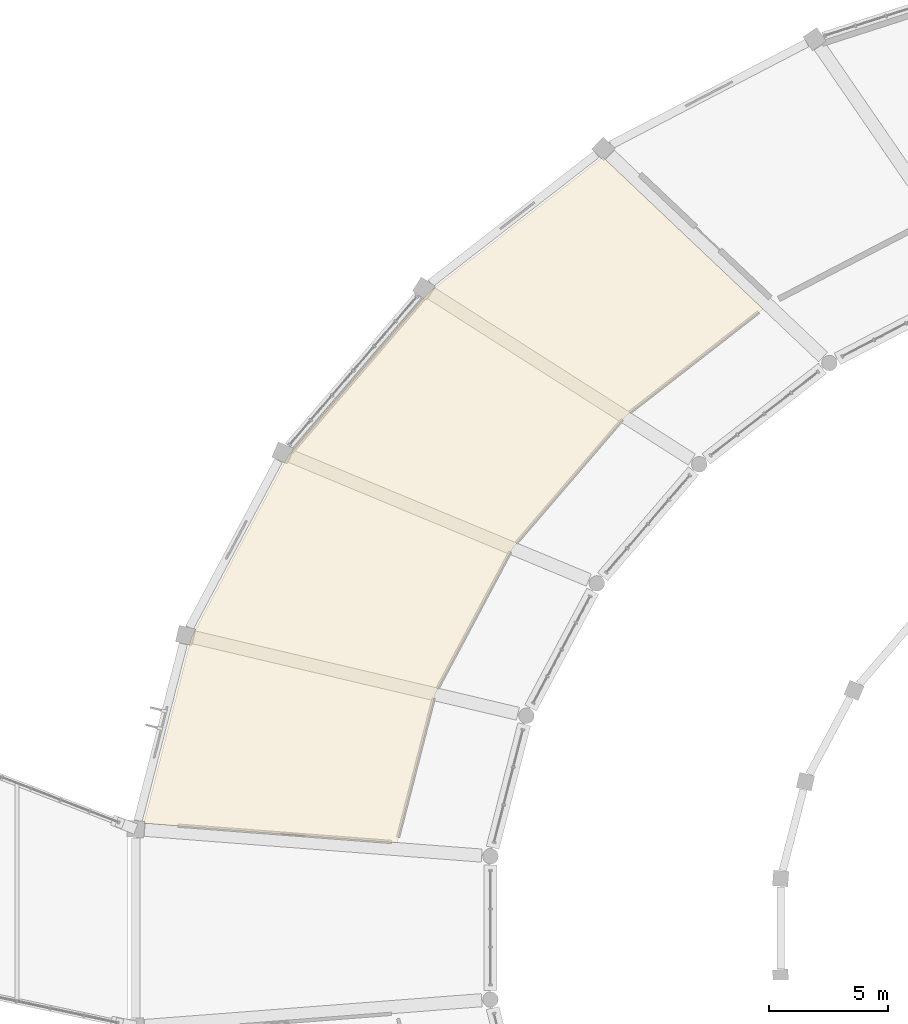
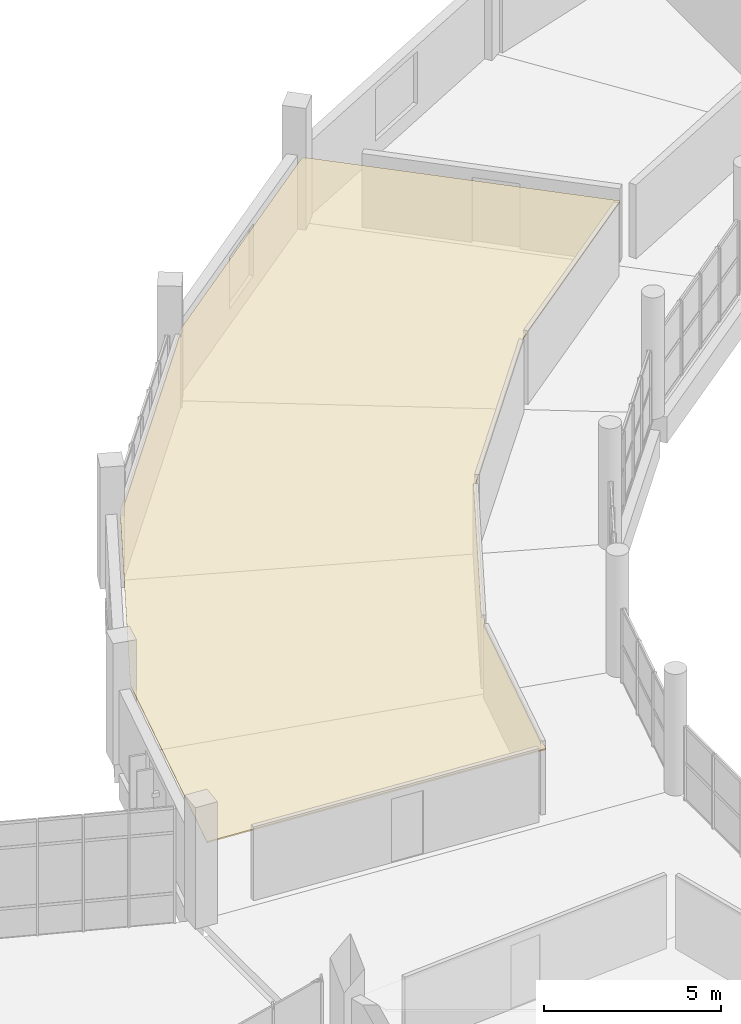
# One storey, part 124 of 142: 1 covering.
"""IFC4 building model written with IfcOpenShell, lengths in metres."""

from ifc_helpers import new_model, si_unit, direction, frame, origin, place, context, subcontext, project, spatial, polyline, outline, extrude, material, layer, layer_set, type_object, element, save


model = new_model("IFC4")

# Units and contexts
model_context = context("Model", 3, precision=1e-05, world=origin(), true_north=direction((0.0, 1.0)))
body_context = subcontext(model_context, "Body", "Model", "MODEL_VIEW")
ifc_project = project(units=[si_unit("LENGTHUNIT", "METRE"), si_unit("AREAUNIT", "SQUARE_METRE"), si_unit("VOLUMEUNIT", "CUBIC_METRE"), si_unit("PLANEANGLEUNIT", "RADIAN"), si_unit("MASSUNIT", "GRAM", prefix="KILO")], contexts=[model_context])

# Site, building, storey
site_placement = place(None, origin())
site = spatial("IfcSite", under=ifc_project, at=site_placement, CompositionType="ELEMENT")
building_placement = place(site_placement, origin())
building = spatial("IfcBuilding", under=site, at=building_placement, Name="Corvandel Quay Wholesale Market", CompositionType="ELEMENT")
storey_placement = place(building_placement, frame((0.0, 0.0, 10.800048828125)))
storey = spatial("IfcBuildingStorey", under=building, at=storey_placement, Name="L02", CompositionType="ELEMENT", Elevation=10.800048828125)

# Covering
ifc_material = material(Name="Perforated powder-coated aluminium acoustic panel", Category="aluminium")
ifc_layer = layer(ifc_material, 0.044921875)
ifc_layer_set = layer_set([ifc_layer], Name="Perforated powder-coated aluminium acoustic panel")
covering_type = type_object("IfcCoveringType", Name="Perforated Acoustic Baffle Ceiling CLG01", PredefinedType="CEILING", material=ifc_layer_set)
covering_placement = place(storey_placement, frame((0.0, 0.0, 2.39990234375)))
element("IfcCovering", 1, at=covering_placement, inside=storey, type_object=covering_type, Name="Suspended Ceiling CLG-006", PredefinedType="CEILING", context=body_context, shape_type="SweptSolid", body=[
    extrude(outline(polyline([(62.319091796875, 54.156005859375), (62.320068359375, 54.157958984375), (66.361083984375, 61.743896484375), (66.362060546875, 61.74609375), (66.364013671875, 61.748046875), (72.23388671875, 68.58203125), (72.235107421875, 68.5830078125), (72.237060546875, 68.5849609375), (79.547119140625, 74.27099609375), (79.548095703125, 74.27197265625), (79.550048828125, 74.27294921875), (79.552001953125, 74.27392578125), (79.553955078125, 74.27392578125), (79.555908203125, 74.27490234375), (79.55810546875, 74.27490234375), (79.56005859375, 74.27490234375), (79.56201171875, 74.27490234375), (79.56396484375, 74.27392578125), (79.56591796875, 74.27392578125), (79.568115234375, 74.27294921875), (79.570068359375, 74.27197265625), (79.571044921875, 74.27099609375), (79.572998046875, 74.27001953125), (86.260986328125, 67.930908203125), (86.261962890625, 67.928955078125), (86.262939453125, 67.927978515625), (86.263916015625, 67.926025390625), (86.264892578125, 67.924072265625), (86.26611328125, 67.923095703125), (86.26611328125, 67.9208984375), (86.26708984375, 67.9189453125), (86.26708984375, 67.9169921875), (86.26708984375, 67.9150390625), (86.26708984375, 67.9130859375), (86.26611328125, 67.910888671875), (86.26611328125, 67.908935546875), (86.264892578125, 67.907958984375), (86.263916015625, 67.906005859375), (86.262939453125, 67.904052734375), (86.261962890625, 67.903076171875), (86.260986328125, 67.90087890625), (86.259033203125, 67.89990234375), (80.52490234375, 63.43701171875), (75.803955078125, 57.93994140625), (72.5439453125, 51.822021484375), (70.943115234375, 45.575927734375), (70.943115234375, 45.573974609375), (70.94189453125, 45.572021484375), (70.94091796875, 45.571044921875), (70.93994140625, 45.569091796875), (70.93896484375, 45.56689453125), (70.93701171875, 45.56591796875), (70.93603515625, 45.56494140625), (70.93408203125, 45.56396484375), (70.931884765625, 45.56298828125), (70.929931640625, 45.56201171875), (70.927978515625, 45.56103515625), (70.926025390625, 45.56103515625), (70.924072265625, 45.56103515625), (70.922119140625, 45.56103515625), (60.35205078125, 46.37109375), (60.35107421875, 46.37109375), (60.34912109375, 46.3720703125), (60.346923828125, 46.3720703125), (60.344970703125, 46.373046875), (60.343017578125, 46.3740234375), (60.342041015625, 46.375), (60.340087890625, 46.3759765625), (60.339111328125, 46.3779296875), (60.337890625, 46.37890625), (60.3369140625, 46.381103515625), (60.3359375, 46.383056640625), (60.3349609375, 46.384033203125), (60.3349609375, 46.385986328125), (60.333984375, 46.387939453125), (60.333984375, 46.389892578125), (60.333984375, 46.39208984375), (60.333984375, 46.39404296875), (60.3349609375, 46.39599609375), (62.319091796875, 54.154052734375), (62.319091796875, 54.156005859375)])), origin(), (0.0, 0.0, 1.0), 0.045166015625),
])

save(model, "model.ifc")
